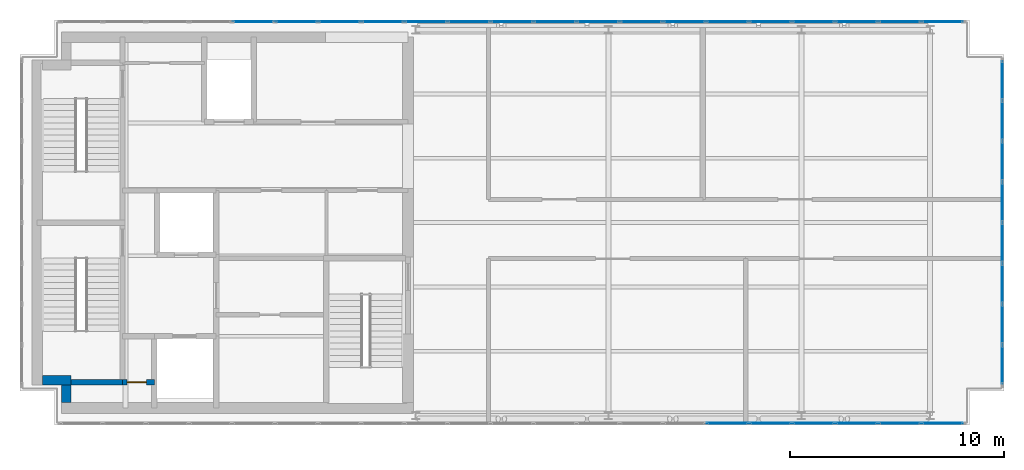
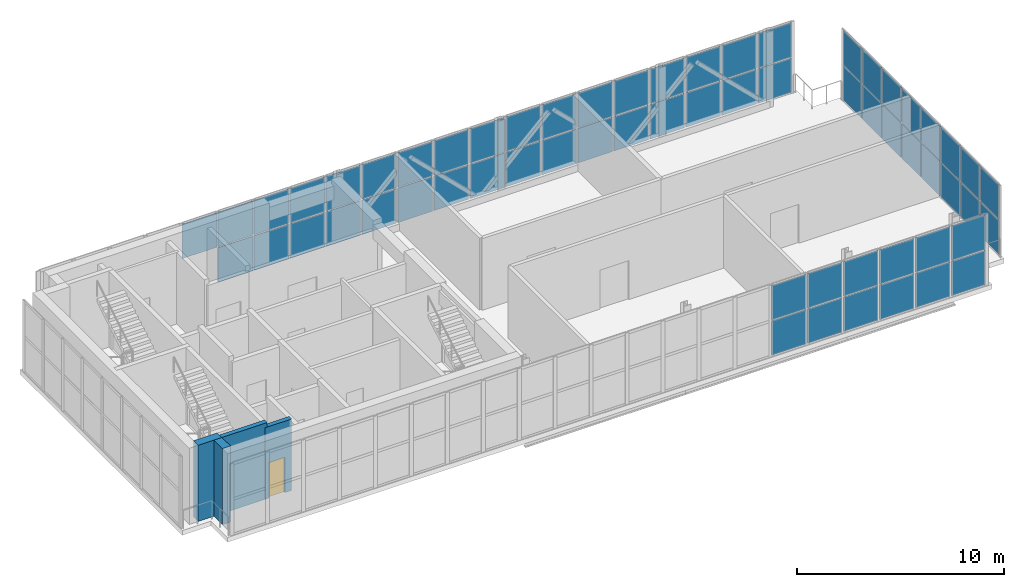
# One storey, part 17 of 21: 61 plates, 4 walls, 1 door, 1 opening, 3 elements without a shape of their own.
"""IFC4 building model written with IfcOpenShell, lengths in metres."""

from ifc_helpers import new_model, si_unit, direction, frame, frame_2d, origin, origin_2d, place, context, subcontext, project, spatial, rectangle, extrude, material, layer, layer_set, type_object, element, fill, aggregate, save


model = new_model("IFC4")

# Units and contexts
model_context = context("Model", 3, precision=1e-05, world=origin(), true_north=direction((0.0, 1.0)))
body_context = subcontext(model_context, "Body", "Model", "MODEL_VIEW")
ifc_project = project(units=[si_unit("LENGTHUNIT", "METRE"), si_unit("AREAUNIT", "SQUARE_METRE"), si_unit("VOLUMEUNIT", "CUBIC_METRE"), si_unit("PLANEANGLEUNIT", "RADIAN"), si_unit("MASSUNIT", "GRAM", prefix="KILO")], contexts=[model_context])

# Site, building, storey
site_placement = place(None, origin())
site = spatial("IfcSite", under=ifc_project, at=site_placement, CompositionType="ELEMENT")
building_placement = place(site_placement, origin())
building = spatial("IfcBuilding", under=site, at=building_placement, Name="Mawjdan Bourse Tower", CompositionType="ELEMENT")
storey_placement = place(building_placement, frame((0.0, 0.0, 317.699951171875)))
storey = spatial("IfcBuildingStorey", under=building, at=storey_placement, Name="L78", CompositionType="ELEMENT", Elevation=317.699951171875)

# Curtain wall, plates
ifc_material_1 = material(Name="Thermally Broken Aluminium and Solar Glass", Category="aluminium")
ifc_layer_1 = layer(ifc_material_1, 0.219970703125)
ifc_layer_set_1 = layer_set([ifc_layer_1], Name="Thermally Broken Aluminium and Solar Glass")
curtain_wall_type = type_object("IfcCurtainWallType", Name="CW-CRN", PredefinedType="USERDEFINED", material=ifc_layer_set_1)
curtain_wall_1_placement = place(storey_placement, origin())
curtain_wall_1 = element("IfcCurtainWall", 1, at=curtain_wall_1_placement, inside=storey, type_object=curtain_wall_type, Name="L78 Lantern Crown South Curtain Wall", ObjectType="LANTERN GLAZED CROWN", PredefinedType="USERDEFINED")
ifc_material_2 = material(Name="Night-Lit Fritted Lantern Glass", Category="glass")
ifc_layer_2 = layer(ifc_material_2, 0.0439453125)
ifc_layer_set_2 = layer_set([ifc_layer_2], Name="Night-Lit Fritted Lantern Glass")
plate_type = type_object("IfcPlateType", Name="PNL-CW-CRN", PredefinedType="CURTAIN_PANEL", material=ifc_layer_set_2)
plate_1_placement = place(storey_placement, frame((38.547607421875, 2.6298828125, 0.06005859375), z_axis=(0.0, 0.0, 1.0), x_axis=(1.0, 0.0, 0.0)))
plate_1 = element("IfcPlate", 2, at=plate_1_placement, type_object=plate_type, Name="CW-CRN-L78-CRN-S panel 16.1", PredefinedType="CURTAIN_PANEL", context=body_context, shape_type="SweptSolid", body=[
    extrude(rectangle(XDim=1.9345703125, YDim=0.0439453125, at=origin_2d()), origin(), (0.0, 0.0, 1.0), 2.030029296875),
])
plate_2_placement = place(storey_placement, frame((38.547607421875, 2.6298828125, 2.14990234375), z_axis=(0.0, 0.0, 1.0), x_axis=(1.0, 0.0, 0.0)))
plate_2 = element("IfcPlate", 3, at=plate_2_placement, type_object=plate_type, Name="CW-CRN-L78-CRN-S panel 16.2", PredefinedType="CURTAIN_PANEL", context=body_context, shape_type="SweptSolid", body=[
    extrude(rectangle(XDim=1.9345703125, YDim=0.0439453125, at=origin_2d()), origin(), (0.0, 0.0, 1.0), 2.030029296875),
])
plate_3_placement = place(storey_placement, frame((40.55712890625, 2.6298828125, 0.06005859375), z_axis=(0.0, 0.0, 1.0), x_axis=(1.0, 0.0, 0.0)))
plate_3 = element("IfcPlate", 4, at=plate_3_placement, type_object=plate_type, Name="CW-CRN-L78-CRN-S panel 17.1", PredefinedType="CURTAIN_PANEL", context=body_context, shape_type="SweptSolid", body=[
    extrude(rectangle(XDim=1.9345703125, YDim=0.0439453125, at=origin_2d()), origin(), (0.0, 0.0, 1.0), 2.030029296875),
])
plate_4_placement = place(storey_placement, frame((40.55712890625, 2.6298828125, 2.14990234375), z_axis=(0.0, 0.0, 1.0), x_axis=(1.0, 0.0, 0.0)))
plate_4 = element("IfcPlate", 5, at=plate_4_placement, type_object=plate_type, Name="CW-CRN-L78-CRN-S panel 17.2", PredefinedType="CURTAIN_PANEL", context=body_context, shape_type="SweptSolid", body=[
    extrude(rectangle(XDim=1.9345703125, YDim=0.0439453125, at=origin_2d()), origin(), (0.0, 0.0, 1.0), 2.030029296875),
])
plate_5_placement = place(storey_placement, frame((42.566650390625, 2.6298828125, 0.06005859375), z_axis=(0.0, 0.0, 1.0), x_axis=(1.0, 0.0, 0.0)))
plate_5 = element("IfcPlate", 6, at=plate_5_placement, type_object=plate_type, Name="CW-CRN-L78-CRN-S panel 18.1", PredefinedType="CURTAIN_PANEL", context=body_context, shape_type="SweptSolid", body=[
    extrude(rectangle(XDim=1.9345703125, YDim=0.0439453125, at=origin_2d()), origin(), (0.0, 0.0, 1.0), 2.030029296875),
])
plate_6_placement = place(storey_placement, frame((42.566650390625, 2.6298828125, 2.14990234375), z_axis=(0.0, 0.0, 1.0), x_axis=(1.0, 0.0, 0.0)))
plate_6 = element("IfcPlate", 7, at=plate_6_placement, type_object=plate_type, Name="CW-CRN-L78-CRN-S panel 18.2", PredefinedType="CURTAIN_PANEL", context=body_context, shape_type="SweptSolid", body=[
    extrude(rectangle(XDim=1.9345703125, YDim=0.0439453125, at=origin_2d()), origin(), (0.0, 0.0, 1.0), 2.030029296875),
])
plate_7_placement = place(storey_placement, frame((44.576171875, 2.6298828125, 0.06005859375), z_axis=(0.0, 0.0, 1.0), x_axis=(1.0, 0.0, 0.0)))
plate_7 = element("IfcPlate", 8, at=plate_7_placement, type_object=plate_type, Name="CW-CRN-L78-CRN-S panel 19.1", PredefinedType="CURTAIN_PANEL", context=body_context, shape_type="SweptSolid", body=[
    extrude(rectangle(XDim=1.9345703125, YDim=0.0439453125, at=origin_2d()), origin(), (0.0, 0.0, 1.0), 2.030029296875),
])
plate_8_placement = place(storey_placement, frame((44.576171875, 2.6298828125, 2.14990234375), z_axis=(0.0, 0.0, 1.0), x_axis=(1.0, 0.0, 0.0)))
plate_8 = element("IfcPlate", 9, at=plate_8_placement, type_object=plate_type, Name="CW-CRN-L78-CRN-S panel 19.2", PredefinedType="CURTAIN_PANEL", context=body_context, shape_type="SweptSolid", body=[
    extrude(rectangle(XDim=1.9345703125, YDim=0.0439453125, at=origin_2d()), origin(), (0.0, 0.0, 1.0), 2.030029296875),
])
plate_9_placement = place(storey_placement, frame((46.585693359375, 2.6298828125, 0.06005859375), z_axis=(0.0, 0.0, 1.0), x_axis=(1.0, 0.0, 0.0)))
plate_9 = element("IfcPlate", 10, at=plate_9_placement, type_object=plate_type, Name="CW-CRN-L78-CRN-S panel 20.1", PredefinedType="CURTAIN_PANEL", context=body_context, shape_type="SweptSolid", body=[
    extrude(rectangle(XDim=1.9345703125, YDim=0.0439453125, at=origin_2d()), origin(), (0.0, 0.0, 1.0), 2.030029296875),
])
plate_10_placement = place(storey_placement, frame((46.585693359375, 2.6298828125, 2.14990234375), z_axis=(0.0, 0.0, 1.0), x_axis=(1.0, 0.0, 0.0)))
plate_10 = element("IfcPlate", 11, at=plate_10_placement, type_object=plate_type, Name="CW-CRN-L78-CRN-S panel 20.2", PredefinedType="CURTAIN_PANEL", context=body_context, shape_type="SweptSolid", body=[
    extrude(rectangle(XDim=1.9345703125, YDim=0.0439453125, at=origin_2d()), origin(), (0.0, 0.0, 1.0), 2.030029296875),
])
plate_11_placement = place(storey_placement, frame((48.576416015625, 2.6298828125, 0.06005859375), z_axis=(0.0, 0.0, 1.0), x_axis=(1.0, 0.0, 0.0)))
plate_11 = element("IfcPlate", 12, at=plate_11_placement, type_object=plate_type, Name="CW-CRN-L78-CRN-S panel 21.1", PredefinedType="CURTAIN_PANEL", context=body_context, shape_type="SweptSolid", body=[
    extrude(rectangle(XDim=1.89697265625, YDim=0.0439453125, at=origin_2d()), origin(), (0.0, 0.0, 1.0), 2.030029296875),
])
plate_12_placement = place(storey_placement, frame((48.576416015625, 2.6298828125, 2.14990234375), z_axis=(0.0, 0.0, 1.0), x_axis=(1.0, 0.0, 0.0)))
plate_12 = element("IfcPlate", 13, at=plate_12_placement, type_object=plate_type, Name="CW-CRN-L78-CRN-S panel 21.2", PredefinedType="CURTAIN_PANEL", context=body_context, shape_type="SweptSolid", body=[
    extrude(rectangle(XDim=1.89697265625, YDim=0.0439453125, at=origin_2d()), origin(), (0.0, 0.0, 1.0), 2.030029296875),
])
aggregate(curtain_wall_1, [plate_1, plate_2, plate_3, plate_4, plate_5, plate_6, plate_7, plate_8, plate_9, plate_10, plate_11, plate_12])

curtain_wall_2_placement = place(storey_placement, origin())
curtain_wall_2 = element("IfcCurtainWall", 14, at=curtain_wall_2_placement, inside=storey, type_object=curtain_wall_type, Name="L78 Lantern Crown East Curtain Wall", ObjectType="LANTERN GLAZED CROWN", PredefinedType="USERDEFINED")
plate_13_placement = place(storey_placement, frame((51.3701171875, 5.36865234375, 0.06005859375), z_axis=(0.0, 0.0, 1.0), x_axis=(0.0, 1.0, 0.0)))
plate_13 = element("IfcPlate", 15, at=plate_13_placement, type_object=plate_type, Name="CW-CRN-L78-CRN-E panel 1.1", PredefinedType="CURTAIN_PANEL", context=body_context, shape_type="SweptSolid", body=[
    extrude(rectangle(XDim=1.78759765625, YDim=0.0439453125, at=origin_2d()), origin(), (0.0, 0.0, 1.0), 2.030029296875),
])
plate_14_placement = place(storey_placement, frame((51.3701171875, 5.36865234375, 2.14990234375), z_axis=(0.0, 0.0, 1.0), x_axis=(0.0, 1.0, 0.0)))
plate_14 = element("IfcPlate", 16, at=plate_14_placement, type_object=plate_type, Name="CW-CRN-L78-CRN-E panel 1.2", PredefinedType="CURTAIN_PANEL", context=body_context, shape_type="SweptSolid", body=[
    extrude(rectangle(XDim=1.78759765625, YDim=0.0439453125, at=origin_2d()), origin(), (0.0, 0.0, 1.0), 2.030029296875),
])
plate_15_placement = place(storey_placement, frame((51.3701171875, 7.25, 0.06005859375), z_axis=(0.0, 0.0, 1.0), x_axis=(0.0, 1.0, 0.0)))
plate_15 = element("IfcPlate", 17, at=plate_15_placement, type_object=plate_type, Name="CW-CRN-L78-CRN-E panel 2.1", PredefinedType="CURTAIN_PANEL", context=body_context, shape_type="SweptSolid", body=[
    extrude(rectangle(XDim=1.824951171875, YDim=0.0439453125, at=origin_2d()), origin(), (0.0, 0.0, 1.0), 2.030029296875),
])
plate_16_placement = place(storey_placement, frame((51.3701171875, 7.25, 2.14990234375), z_axis=(0.0, 0.0, 1.0), x_axis=(0.0, 1.0, 0.0)))
plate_16 = element("IfcPlate", 18, at=plate_16_placement, type_object=plate_type, Name="CW-CRN-L78-CRN-E panel 2.2", PredefinedType="CURTAIN_PANEL", context=body_context, shape_type="SweptSolid", body=[
    extrude(rectangle(XDim=1.824951171875, YDim=0.0439453125, at=origin_2d()), origin(), (0.0, 0.0, 1.0), 2.030029296875),
])
plate_17_placement = place(storey_placement, frame((51.3701171875, 9.14990234375, 0.06005859375), z_axis=(0.0, 0.0, 1.0), x_axis=(0.0, 1.0, 0.0)))
plate_17 = element("IfcPlate", 19, at=plate_17_placement, type_object=plate_type, Name="CW-CRN-L78-CRN-E panel 3.1", PredefinedType="CURTAIN_PANEL", context=body_context, shape_type="SweptSolid", body=[
    extrude(rectangle(XDim=1.824951171875, YDim=0.0439453125, at=origin_2d()), origin(), (0.0, 0.0, 1.0), 2.030029296875),
])
plate_18_placement = place(storey_placement, frame((51.3701171875, 9.14990234375, 2.14990234375), z_axis=(0.0, 0.0, 1.0), x_axis=(0.0, 1.0, 0.0)))
plate_18 = element("IfcPlate", 20, at=plate_18_placement, type_object=plate_type, Name="CW-CRN-L78-CRN-E panel 3.2", PredefinedType="CURTAIN_PANEL", context=body_context, shape_type="SweptSolid", body=[
    extrude(rectangle(XDim=1.824951171875, YDim=0.0439453125, at=origin_2d()), origin(), (0.0, 0.0, 1.0), 2.030029296875),
])
plate_19_placement = place(storey_placement, frame((51.3701171875, 11.050048828125, 0.06005859375), z_axis=(0.0, 0.0, 1.0), x_axis=(0.0, 1.0, 0.0)))
plate_19 = element("IfcPlate", 21, at=plate_19_placement, type_object=plate_type, Name="CW-CRN-L78-CRN-E panel 4.1", PredefinedType="CURTAIN_PANEL", context=body_context, shape_type="SweptSolid", body=[
    extrude(rectangle(XDim=1.824951171875, YDim=0.0439453125, at=origin_2d()), origin(), (0.0, 0.0, 1.0), 2.030029296875),
])
plate_20_placement = place(storey_placement, frame((51.3701171875, 11.050048828125, 2.14990234375), z_axis=(0.0, 0.0, 1.0), x_axis=(0.0, 1.0, 0.0)))
plate_20 = element("IfcPlate", 22, at=plate_20_placement, type_object=plate_type, Name="CW-CRN-L78-CRN-E panel 4.2", PredefinedType="CURTAIN_PANEL", context=body_context, shape_type="SweptSolid", body=[
    extrude(rectangle(XDim=1.824951171875, YDim=0.0439453125, at=origin_2d()), origin(), (0.0, 0.0, 1.0), 2.030029296875),
])
plate_21_placement = place(storey_placement, frame((51.3701171875, 12.949951171875, 0.06005859375), z_axis=(0.0, 0.0, 1.0), x_axis=(0.0, 1.0, 0.0)))
plate_21 = element("IfcPlate", 23, at=plate_21_placement, type_object=plate_type, Name="CW-CRN-L78-CRN-E panel 5.1", PredefinedType="CURTAIN_PANEL", context=body_context, shape_type="SweptSolid", body=[
    extrude(rectangle(XDim=1.824951171875, YDim=0.0439453125, at=origin_2d()), origin(), (0.0, 0.0, 1.0), 2.030029296875),
])
plate_22_placement = place(storey_placement, frame((51.3701171875, 12.949951171875, 2.14990234375), z_axis=(0.0, 0.0, 1.0), x_axis=(0.0, 1.0, 0.0)))
plate_22 = element("IfcPlate", 24, at=plate_22_placement, type_object=plate_type, Name="CW-CRN-L78-CRN-E panel 5.2", PredefinedType="CURTAIN_PANEL", context=body_context, shape_type="SweptSolid", body=[
    extrude(rectangle(XDim=1.824951171875, YDim=0.0439453125, at=origin_2d()), origin(), (0.0, 0.0, 1.0), 2.030029296875),
])
plate_23_placement = place(storey_placement, frame((51.3701171875, 14.85009765625, 0.06005859375), z_axis=(0.0, 0.0, 1.0), x_axis=(0.0, 1.0, 0.0)))
plate_23 = element("IfcPlate", 25, at=plate_23_placement, type_object=plate_type, Name="CW-CRN-L78-CRN-E panel 6.1", PredefinedType="CURTAIN_PANEL", context=body_context, shape_type="SweptSolid", body=[
    extrude(rectangle(XDim=1.824951171875, YDim=0.0439453125, at=origin_2d()), origin(), (0.0, 0.0, 1.0), 2.030029296875),
])
plate_24_placement = place(storey_placement, frame((51.3701171875, 14.85009765625, 2.14990234375), z_axis=(0.0, 0.0, 1.0), x_axis=(0.0, 1.0, 0.0)))
plate_24 = element("IfcPlate", 26, at=plate_24_placement, type_object=plate_type, Name="CW-CRN-L78-CRN-E panel 6.2", PredefinedType="CURTAIN_PANEL", context=body_context, shape_type="SweptSolid", body=[
    extrude(rectangle(XDim=1.824951171875, YDim=0.0439453125, at=origin_2d()), origin(), (0.0, 0.0, 1.0), 2.030029296875),
])
plate_25_placement = place(storey_placement, frame((51.3701171875, 16.75, 0.06005859375), z_axis=(0.0, 0.0, 1.0), x_axis=(0.0, 1.0, 0.0)))
plate_25 = element("IfcPlate", 27, at=plate_25_placement, type_object=plate_type, Name="CW-CRN-L78-CRN-E panel 7.1", PredefinedType="CURTAIN_PANEL", context=body_context, shape_type="SweptSolid", body=[
    extrude(rectangle(XDim=1.824951171875, YDim=0.0439453125, at=origin_2d()), origin(), (0.0, 0.0, 1.0), 2.030029296875),
])
plate_26_placement = place(storey_placement, frame((51.3701171875, 16.75, 2.14990234375), z_axis=(0.0, 0.0, 1.0), x_axis=(0.0, 1.0, 0.0)))
plate_26 = element("IfcPlate", 28, at=plate_26_placement, type_object=plate_type, Name="CW-CRN-L78-CRN-E panel 7.2", PredefinedType="CURTAIN_PANEL", context=body_context, shape_type="SweptSolid", body=[
    extrude(rectangle(XDim=1.824951171875, YDim=0.0439453125, at=origin_2d()), origin(), (0.0, 0.0, 1.0), 2.030029296875),
])
plate_27_placement = place(storey_placement, frame((51.3701171875, 18.63134765625, 0.06005859375), z_axis=(0.0, 0.0, 1.0), x_axis=(0.0, 1.0, 0.0)))
plate_27 = element("IfcPlate", 29, at=plate_27_placement, type_object=plate_type, Name="CW-CRN-L78-CRN-E panel 8.1", PredefinedType="CURTAIN_PANEL", context=body_context, shape_type="SweptSolid", body=[
    extrude(rectangle(XDim=1.78759765625, YDim=0.0439453125, at=origin_2d()), origin(), (0.0, 0.0, 1.0), 2.030029296875),
])
plate_28_placement = place(storey_placement, frame((51.3701171875, 18.63134765625, 2.14990234375), z_axis=(0.0, 0.0, 1.0), x_axis=(0.0, 1.0, 0.0)))
plate_28 = element("IfcPlate", 30, at=plate_28_placement, type_object=plate_type, Name="CW-CRN-L78-CRN-E panel 8.2", PredefinedType="CURTAIN_PANEL", context=body_context, shape_type="SweptSolid", body=[
    extrude(rectangle(XDim=1.78759765625, YDim=0.0439453125, at=origin_2d()), origin(), (0.0, 0.0, 1.0), 2.030029296875),
])
aggregate(curtain_wall_2, [plate_13, plate_14, plate_15, plate_16, plate_17, plate_18, plate_19, plate_20, plate_21, plate_22, plate_23, plate_24, plate_25, plate_26, plate_27, plate_28])

curtain_wall_3_placement = place(storey_placement, origin())
curtain_wall_3 = element("IfcCurtainWall", 31, at=curtain_wall_3_placement, inside=storey, type_object=curtain_wall_type, Name="L78 Lantern Crown North Curtain Wall", ObjectType="LANTERN GLAZED CROWN", PredefinedType="USERDEFINED")
plate_29_placement = place(storey_placement, frame((48.576416015625, 21.3701171875, 0.06005859375), z_axis=(0.0, 0.0, 1.0), x_axis=(-1.0, 0.0, 0.0)))
plate_29 = element("IfcPlate", 32, at=plate_29_placement, type_object=plate_type, Name="CW-CRN-L78-CRN-N panel 1.1", PredefinedType="CURTAIN_PANEL", context=body_context, shape_type="SweptSolid", body=[
    extrude(rectangle(XDim=1.89697265625, YDim=0.0439453125, at=origin_2d()), origin(), (0.0, 0.0, 1.0), 2.030029296875),
])
plate_30_placement = place(storey_placement, frame((48.576416015625, 21.3701171875, 2.14990234375), z_axis=(0.0, 0.0, 1.0), x_axis=(-1.0, 0.0, 0.0)))
plate_30 = element("IfcPlate", 33, at=plate_30_placement, type_object=plate_type, Name="CW-CRN-L78-CRN-N panel 1.2", PredefinedType="CURTAIN_PANEL", context=body_context, shape_type="SweptSolid", body=[
    extrude(rectangle(XDim=1.89697265625, YDim=0.0439453125, at=origin_2d()), origin(), (0.0, 0.0, 1.0), 2.030029296875),
])
plate_31_placement = place(storey_placement, frame((46.585693359375, 21.3701171875, 0.06005859375), z_axis=(0.0, 0.0, 1.0), x_axis=(-1.0, 0.0, 0.0)))
plate_31 = element("IfcPlate", 34, at=plate_31_placement, type_object=plate_type, Name="CW-CRN-L78-CRN-N panel 2.1", PredefinedType="CURTAIN_PANEL", context=body_context, shape_type="SweptSolid", body=[
    extrude(rectangle(XDim=1.9345703125, YDim=0.0439453125, at=origin_2d()), origin(), (0.0, 0.0, 1.0), 2.030029296875),
])
plate_32_placement = place(storey_placement, frame((46.585693359375, 21.3701171875, 2.14990234375), z_axis=(0.0, 0.0, 1.0), x_axis=(-1.0, 0.0, 0.0)))
plate_32 = element("IfcPlate", 35, at=plate_32_placement, type_object=plate_type, Name="CW-CRN-L78-CRN-N panel 2.2", PredefinedType="CURTAIN_PANEL", context=body_context, shape_type="SweptSolid", body=[
    extrude(rectangle(XDim=1.9345703125, YDim=0.0439453125, at=origin_2d()), origin(), (0.0, 0.0, 1.0), 2.030029296875),
])
plate_33_placement = place(storey_placement, frame((44.576171875, 21.3701171875, 0.06005859375), z_axis=(0.0, 0.0, 1.0), x_axis=(-1.0, 0.0, 0.0)))
plate_33 = element("IfcPlate", 36, at=plate_33_placement, type_object=plate_type, Name="CW-CRN-L78-CRN-N panel 3.1", PredefinedType="CURTAIN_PANEL", context=body_context, shape_type="SweptSolid", body=[
    extrude(rectangle(XDim=1.9345703125, YDim=0.0439453125, at=origin_2d()), origin(), (0.0, 0.0, 1.0), 2.030029296875),
])
plate_34_placement = place(storey_placement, frame((44.576171875, 21.3701171875, 2.14990234375), z_axis=(0.0, 0.0, 1.0), x_axis=(-1.0, 0.0, 0.0)))
plate_34 = element("IfcPlate", 37, at=plate_34_placement, type_object=plate_type, Name="CW-CRN-L78-CRN-N panel 3.2", PredefinedType="CURTAIN_PANEL", context=body_context, shape_type="SweptSolid", body=[
    extrude(rectangle(XDim=1.9345703125, YDim=0.0439453125, at=origin_2d()), origin(), (0.0, 0.0, 1.0), 2.030029296875),
])
plate_35_placement = place(storey_placement, frame((42.566650390625, 21.3701171875, 0.06005859375), z_axis=(0.0, 0.0, 1.0), x_axis=(-1.0, 0.0, 0.0)))
plate_35 = element("IfcPlate", 38, at=plate_35_placement, type_object=plate_type, Name="CW-CRN-L78-CRN-N panel 4.1", PredefinedType="CURTAIN_PANEL", context=body_context, shape_type="SweptSolid", body=[
    extrude(rectangle(XDim=1.9345703125, YDim=0.0439453125, at=origin_2d()), origin(), (0.0, 0.0, 1.0), 2.030029296875),
])
plate_36_placement = place(storey_placement, frame((42.566650390625, 21.3701171875, 2.14990234375), z_axis=(0.0, 0.0, 1.0), x_axis=(-1.0, 0.0, 0.0)))
plate_36 = element("IfcPlate", 39, at=plate_36_placement, type_object=plate_type, Name="CW-CRN-L78-CRN-N panel 4.2", PredefinedType="CURTAIN_PANEL", context=body_context, shape_type="SweptSolid", body=[
    extrude(rectangle(XDim=1.9345703125, YDim=0.0439453125, at=origin_2d()), origin(), (0.0, 0.0, 1.0), 2.030029296875),
])
plate_37_placement = place(storey_placement, frame((40.55712890625, 21.3701171875, 0.06005859375), z_axis=(0.0, 0.0, 1.0), x_axis=(-1.0, 0.0, 0.0)))
plate_37 = element("IfcPlate", 40, at=plate_37_placement, type_object=plate_type, Name="CW-CRN-L78-CRN-N panel 5.1", PredefinedType="CURTAIN_PANEL", context=body_context, shape_type="SweptSolid", body=[
    extrude(rectangle(XDim=1.9345703125, YDim=0.0439453125, at=origin_2d()), origin(), (0.0, 0.0, 1.0), 2.030029296875),
])
plate_38_placement = place(storey_placement, frame((40.55712890625, 21.3701171875, 2.14990234375), z_axis=(0.0, 0.0, 1.0), x_axis=(-1.0, 0.0, 0.0)))
plate_38 = element("IfcPlate", 41, at=plate_38_placement, type_object=plate_type, Name="CW-CRN-L78-CRN-N panel 5.2", PredefinedType="CURTAIN_PANEL", context=body_context, shape_type="SweptSolid", body=[
    extrude(rectangle(XDim=1.9345703125, YDim=0.0439453125, at=origin_2d()), origin(), (0.0, 0.0, 1.0), 2.030029296875),
])
plate_39_placement = place(storey_placement, frame((38.547607421875, 21.3701171875, 0.06005859375), z_axis=(0.0, 0.0, 1.0), x_axis=(-1.0, 0.0, 0.0)))
plate_39 = element("IfcPlate", 42, at=plate_39_placement, type_object=plate_type, Name="CW-CRN-L78-CRN-N panel 6.1", PredefinedType="CURTAIN_PANEL", context=body_context, shape_type="SweptSolid", body=[
    extrude(rectangle(XDim=1.9345703125, YDim=0.0439453125, at=origin_2d()), origin(), (0.0, 0.0, 1.0), 2.030029296875),
])
plate_40_placement = place(storey_placement, frame((38.547607421875, 21.3701171875, 2.14990234375), z_axis=(0.0, 0.0, 1.0), x_axis=(-1.0, 0.0, 0.0)))
plate_40 = element("IfcPlate", 43, at=plate_40_placement, type_object=plate_type, Name="CW-CRN-L78-CRN-N panel 6.2", PredefinedType="CURTAIN_PANEL", context=body_context, shape_type="SweptSolid", body=[
    extrude(rectangle(XDim=1.9345703125, YDim=0.0439453125, at=origin_2d()), origin(), (0.0, 0.0, 1.0), 2.030029296875),
])
plate_41_placement = place(storey_placement, frame((36.5380859375, 21.3701171875, 0.06005859375), z_axis=(0.0, 0.0, 1.0), x_axis=(-1.0, 0.0, 0.0)))
plate_41 = element("IfcPlate", 44, at=plate_41_placement, type_object=plate_type, Name="CW-CRN-L78-CRN-N panel 7.1", PredefinedType="CURTAIN_PANEL", context=body_context, shape_type="SweptSolid", body=[
    extrude(rectangle(XDim=1.9345703125, YDim=0.0439453125, at=origin_2d()), origin(), (0.0, 0.0, 1.0), 2.030029296875),
])
plate_42_placement = place(storey_placement, frame((36.5380859375, 21.3701171875, 2.14990234375), z_axis=(0.0, 0.0, 1.0), x_axis=(-1.0, 0.0, 0.0)))
plate_42 = element("IfcPlate", 45, at=plate_42_placement, type_object=plate_type, Name="CW-CRN-L78-CRN-N panel 7.2", PredefinedType="CURTAIN_PANEL", context=body_context, shape_type="SweptSolid", body=[
    extrude(rectangle(XDim=1.9345703125, YDim=0.0439453125, at=origin_2d()), origin(), (0.0, 0.0, 1.0), 2.030029296875),
])
plate_43_placement = place(storey_placement, frame((34.528564453125, 21.3701171875, 0.06005859375), z_axis=(0.0, 0.0, 1.0), x_axis=(-1.0, 0.0, 0.0)))
plate_43 = element("IfcPlate", 46, at=plate_43_placement, type_object=plate_type, Name="CW-CRN-L78-CRN-N panel 8.1", PredefinedType="CURTAIN_PANEL", context=body_context, shape_type="SweptSolid", body=[
    extrude(rectangle(XDim=1.9345703125, YDim=0.0439453125, at=origin_2d()), origin(), (0.0, 0.0, 1.0), 2.030029296875),
])
plate_44_placement = place(storey_placement, frame((34.528564453125, 21.3701171875, 2.14990234375), z_axis=(0.0, 0.0, 1.0), x_axis=(-1.0, 0.0, 0.0)))
plate_44 = element("IfcPlate", 47, at=plate_44_placement, type_object=plate_type, Name="CW-CRN-L78-CRN-N panel 8.2", PredefinedType="CURTAIN_PANEL", context=body_context, shape_type="SweptSolid", body=[
    extrude(rectangle(XDim=1.9345703125, YDim=0.0439453125, at=origin_2d()), origin(), (0.0, 0.0, 1.0), 2.030029296875),
])
plate_45_placement = place(storey_placement, frame((32.51904296875, 21.3701171875, 0.06005859375), z_axis=(0.0, 0.0, 1.0), x_axis=(-1.0, 0.0, 0.0)))
plate_45 = element("IfcPlate", 48, at=plate_45_placement, type_object=plate_type, Name="CW-CRN-L78-CRN-N panel 9.1", PredefinedType="CURTAIN_PANEL", context=body_context, shape_type="SweptSolid", body=[
    extrude(rectangle(XDim=1.9345703125, YDim=0.0439453125, at=origin_2d()), origin(), (0.0, 0.0, 1.0), 2.030029296875),
])
plate_46_placement = place(storey_placement, frame((32.51904296875, 21.3701171875, 2.14990234375), z_axis=(0.0, 0.0, 1.0), x_axis=(-1.0, 0.0, 0.0)))
plate_46 = element("IfcPlate", 49, at=plate_46_placement, type_object=plate_type, Name="CW-CRN-L78-CRN-N panel 9.2", PredefinedType="CURTAIN_PANEL", context=body_context, shape_type="SweptSolid", body=[
    extrude(rectangle(XDim=1.9345703125, YDim=0.0439453125, at=origin_2d()), origin(), (0.0, 0.0, 1.0), 2.030029296875),
])
plate_47_placement = place(storey_placement, frame((30.509521484375, 21.3701171875, 0.06005859375), z_axis=(0.0, 0.0, 1.0), x_axis=(-1.0, 0.0, 0.0)))
plate_47 = element("IfcPlate", 50, at=plate_47_placement, type_object=plate_type, Name="CW-CRN-L78-CRN-N panel 10.1", PredefinedType="CURTAIN_PANEL", context=body_context, shape_type="SweptSolid", body=[
    extrude(rectangle(XDim=1.9345703125, YDim=0.0439453125, at=origin_2d()), origin(), (0.0, 0.0, 1.0), 2.030029296875),
])
plate_48_placement = place(storey_placement, frame((30.509521484375, 21.3701171875, 2.14990234375), z_axis=(0.0, 0.0, 1.0), x_axis=(-1.0, 0.0, 0.0)))
plate_48 = element("IfcPlate", 51, at=plate_48_placement, type_object=plate_type, Name="CW-CRN-L78-CRN-N panel 10.2", PredefinedType="CURTAIN_PANEL", context=body_context, shape_type="SweptSolid", body=[
    extrude(rectangle(XDim=1.9345703125, YDim=0.0439453125, at=origin_2d()), origin(), (0.0, 0.0, 1.0), 2.030029296875),
])
plate_49_placement = place(storey_placement, frame((28.5, 21.3701171875, 0.06005859375), z_axis=(0.0, 0.0, 1.0), x_axis=(-1.0, 0.0, 0.0)))
plate_49 = element("IfcPlate", 52, at=plate_49_placement, type_object=plate_type, Name="CW-CRN-L78-CRN-N panel 11.1", PredefinedType="CURTAIN_PANEL", context=body_context, shape_type="SweptSolid", body=[
    extrude(rectangle(XDim=1.9345703125, YDim=0.0439453125, at=origin_2d()), origin(), (0.0, 0.0, 1.0), 2.030029296875),
])
plate_50_placement = place(storey_placement, frame((28.5, 21.3701171875, 2.14990234375), z_axis=(0.0, 0.0, 1.0), x_axis=(-1.0, 0.0, 0.0)))
plate_50 = element("IfcPlate", 53, at=plate_50_placement, type_object=plate_type, Name="CW-CRN-L78-CRN-N panel 11.2", PredefinedType="CURTAIN_PANEL", context=body_context, shape_type="SweptSolid", body=[
    extrude(rectangle(XDim=1.9345703125, YDim=0.0439453125, at=origin_2d()), origin(), (0.0, 0.0, 1.0), 2.030029296875),
])
plate_51_placement = place(storey_placement, frame((26.490478515625, 21.3701171875, 0.06005859375), z_axis=(0.0, 0.0, 1.0), x_axis=(-1.0, 0.0, 0.0)))
plate_51 = element("IfcPlate", 54, at=plate_51_placement, type_object=plate_type, Name="CW-CRN-L78-CRN-N panel 12.1", PredefinedType="CURTAIN_PANEL", context=body_context, shape_type="SweptSolid", body=[
    extrude(rectangle(XDim=1.9345703125, YDim=0.0439453125, at=origin_2d()), origin(), (0.0, 0.0, 1.0), 2.030029296875),
])
plate_52_placement = place(storey_placement, frame((26.490478515625, 21.3701171875, 2.14990234375), z_axis=(0.0, 0.0, 1.0), x_axis=(-1.0, 0.0, 0.0)))
plate_52 = element("IfcPlate", 55, at=plate_52_placement, type_object=plate_type, Name="CW-CRN-L78-CRN-N panel 12.2", PredefinedType="CURTAIN_PANEL", context=body_context, shape_type="SweptSolid", body=[
    extrude(rectangle(XDim=1.9345703125, YDim=0.0439453125, at=origin_2d()), origin(), (0.0, 0.0, 1.0), 2.030029296875),
])
plate_53_placement = place(storey_placement, frame((24.48095703125, 21.3701171875, 0.06005859375), z_axis=(0.0, 0.0, 1.0), x_axis=(-1.0, 0.0, 0.0)))
plate_53 = element("IfcPlate", 56, at=plate_53_placement, type_object=plate_type, Name="CW-CRN-L78-CRN-N panel 13.1", PredefinedType="CURTAIN_PANEL", context=body_context, shape_type="SweptSolid", body=[
    extrude(rectangle(XDim=1.9345703125, YDim=0.0439453125, at=origin_2d()), origin(), (0.0, 0.0, 1.0), 2.030029296875),
])
plate_54_placement = place(storey_placement, frame((24.48095703125, 21.3701171875, 2.14990234375), z_axis=(0.0, 0.0, 1.0), x_axis=(-1.0, 0.0, 0.0)))
plate_54 = element("IfcPlate", 57, at=plate_54_placement, type_object=plate_type, Name="CW-CRN-L78-CRN-N panel 13.2", PredefinedType="CURTAIN_PANEL", context=body_context, shape_type="SweptSolid", body=[
    extrude(rectangle(XDim=1.9345703125, YDim=0.0439453125, at=origin_2d()), origin(), (0.0, 0.0, 1.0), 2.030029296875),
])
plate_55_placement = place(storey_placement, frame((22.471435546875, 21.3701171875, 0.06005859375), z_axis=(0.0, 0.0, 1.0), x_axis=(-1.0, 0.0, 0.0)))
plate_55 = element("IfcPlate", 58, at=plate_55_placement, type_object=plate_type, Name="CW-CRN-L78-CRN-N panel 14.1", PredefinedType="CURTAIN_PANEL", context=body_context, shape_type="SweptSolid", body=[
    extrude(rectangle(XDim=1.9345703125, YDim=0.0439453125, at=origin_2d()), origin(), (0.0, 0.0, 1.0), 2.030029296875),
])
plate_56_placement = place(storey_placement, frame((22.471435546875, 21.3701171875, 2.14990234375), z_axis=(0.0, 0.0, 1.0), x_axis=(-1.0, 0.0, 0.0)))
plate_56 = element("IfcPlate", 59, at=plate_56_placement, type_object=plate_type, Name="CW-CRN-L78-CRN-N panel 14.2", PredefinedType="CURTAIN_PANEL", context=body_context, shape_type="SweptSolid", body=[
    extrude(rectangle(XDim=1.9345703125, YDim=0.0439453125, at=origin_2d()), origin(), (0.0, 0.0, 1.0), 2.030029296875),
])
plate_57_placement = place(storey_placement, frame((20.4619140625, 21.3701171875, 0.06005859375), z_axis=(0.0, 0.0, 1.0), x_axis=(-1.0, 0.0, 0.0)))
plate_57 = element("IfcPlate", 60, at=plate_57_placement, type_object=plate_type, Name="CW-CRN-L78-CRN-N panel 15.1", PredefinedType="CURTAIN_PANEL", context=body_context, shape_type="SweptSolid", body=[
    extrude(rectangle(XDim=1.9345703125, YDim=0.0439453125, at=origin_2d()), origin(), (0.0, 0.0, 1.0), 2.030029296875),
])
plate_58_placement = place(storey_placement, frame((20.4619140625, 21.3701171875, 2.14990234375), z_axis=(0.0, 0.0, 1.0), x_axis=(-1.0, 0.0, 0.0)))
plate_58 = element("IfcPlate", 61, at=plate_58_placement, type_object=plate_type, Name="CW-CRN-L78-CRN-N panel 15.2", PredefinedType="CURTAIN_PANEL", context=body_context, shape_type="SweptSolid", body=[
    extrude(rectangle(XDim=1.9345703125, YDim=0.0439453125, at=origin_2d()), origin(), (0.0, 0.0, 1.0), 2.030029296875),
])
plate_59_placement = place(storey_placement, frame((18.452392578125, 21.3701171875, 0.06005859375), z_axis=(0.0, 0.0, 1.0), x_axis=(-1.0, 0.0, 0.0)))
plate_59 = element("IfcPlate", 62, at=plate_59_placement, type_object=plate_type, Name="CW-CRN-L78-CRN-N panel 16.1", PredefinedType="CURTAIN_PANEL", context=body_context, shape_type="SweptSolid", body=[
    extrude(rectangle(XDim=1.9345703125, YDim=0.0439453125, at=origin_2d()), origin(), (0.0, 0.0, 1.0), 2.030029296875),
])
plate_60_placement = place(storey_placement, frame((18.452392578125, 21.3701171875, 2.14990234375), z_axis=(0.0, 0.0, 1.0), x_axis=(-1.0, 0.0, 0.0)))
plate_60 = element("IfcPlate", 63, at=plate_60_placement, type_object=plate_type, Name="CW-CRN-L78-CRN-N panel 16.2", PredefinedType="CURTAIN_PANEL", context=body_context, shape_type="SweptSolid", body=[
    extrude(rectangle(XDim=1.9345703125, YDim=0.0439453125, at=origin_2d()), origin(), (0.0, 0.0, 1.0), 2.030029296875),
])
plate_61_placement = place(storey_placement, frame((16.44287109375, 21.3701171875, 2.14990234375), z_axis=(0.0, 0.0, 1.0), x_axis=(-1.0, 0.0, 0.0)))
plate_61 = element("IfcPlate", 64, at=plate_61_placement, type_object=plate_type, Name="CW-CRN-L78-CRN-N panel 17.2", PredefinedType="CURTAIN_PANEL", context=body_context, shape_type="SweptSolid", body=[
    extrude(rectangle(XDim=1.9345703125, YDim=0.0439453125, at=origin_2d()), origin(), (0.0, 0.0, 1.0), 2.030029296875),
])
aggregate(curtain_wall_3, [plate_29, plate_30, plate_31, plate_32, plate_33, plate_34, plate_35, plate_36, plate_37, plate_38, plate_39, plate_40, plate_41, plate_42, plate_43, plate_44, plate_45, plate_46, plate_47, plate_48, plate_49, plate_50, plate_51, plate_52, plate_53, plate_54, plate_55, plate_56, plate_57, plate_58, plate_59, plate_60, plate_61])

# Walls
ifc_material_3 = material(Name="Concrete C60/75", Category="concrete")
ifc_layer_3 = layer(ifc_material_3, 0.449951171875)
ifc_layer_set_3 = layer_set([ifc_layer_3], Name="Concrete C60/75")
wall_type_1 = type_object("IfcWallType", Name="WL-CORE-450", PredefinedType="SHEAR", material=ifc_layer_set_3)
wall_1_placement = place(storey_placement, frame((6.60009765625, 4.64990234375, 0.0), z_axis=(0.0, 0.0, 1.0), x_axis=(1.0, 0.0, 0.0)))
element("IfcWall", 65, at=wall_1_placement, inside=storey, type_object=wall_type_1, Name="L78 Rear Core Shear Wall SW-X", PredefinedType="SHEAR", context=body_context, shape_type="SweptSolid", body=[
    extrude(rectangle(XDim=1.324951171875, YDim=0.449951171875, at=frame_2d((0.66259765625, 0.0))), origin(), (0.0, 0.0, 1.0), 4.5),
])
wall_2_placement = place(storey_placement, frame((7.699951171875, 3.60009765625, 0.0), z_axis=(0.0, 0.0, 1.0), x_axis=(0.0, 1.0, 0.0)))
element("IfcWall", 66, at=wall_2_placement, inside=storey, type_object=wall_type_1, Name="L78 Rear Core Shear Wall SW-Y", PredefinedType="SHEAR", context=body_context, shape_type="SweptSolid", body=[
    extrude(rectangle(XDim=0.824951171875, YDim=0.449951171875, at=frame_2d((0.41259765625, 0.0))), origin(), (0.0, 0.0, 1.0), 4.5),
])

# Wall, opening, door
ifc_material_4 = material(Name="Concrete C50/60", Category="concrete")
ifc_layer_4 = layer(ifc_material_4, 0.25)
ifc_layer_set_4 = layer_set([ifc_layer_4], Name="Concrete C50/60")
wall_type_2 = type_object("IfcWallType", Name="WL-SHFT-250", PredefinedType="PARTITIONING", material=ifc_layer_set_4)
wall_3_placement = place(storey_placement, frame((10.330078125, 4.550048828125, 0.0), z_axis=(0.0, 0.0, 1.0), x_axis=(1.0, 0.0, 0.0)))
wall_3 = element("IfcWall", 67, at=wall_3_placement, inside=storey, type_object=wall_type_2, Name="L78 SW Riser North Wall", PredefinedType="PARTITIONING", context=body_context, shape_type="SweptSolid", body=[
    extrude(rectangle(XDim=1.489990234375, YDim=0.25, at=frame_2d((0.7451171875, 0.0))), origin(), (0.0, 0.0, 1.0), 4.22998046875),
])
opening_placement = place(wall_3_placement, frame((0.219970703125, 0.0, 0.0)))
opening = element("IfcOpeningElement", 68, at=opening_placement, cuts=wall_3, Name="Opening RD-L78-03", PredefinedType="OPENING", context=body_context, shape_type="SweptSolid", body=[
    extrude(rectangle(XDim=0.89990234375, YDim=2.10009765625, at=frame_2d((0.449951171875, 1.050048828125))), frame((0.0, 0.135009765625, 0.0), z_axis=(0.0, -1.0, 0.0), x_axis=(1.0, 0.0, 0.0)), (0.0, 0.0, 1.0), 0.27001953125),
])
ifc_material_5 = material(Name="Fire-Rated Steel Access Leaf", Category="steel")
door_type = type_object("IfcDoorType", Name="FD-RSR-0900", OperationType="NOTDEFINED", PredefinedType="TRAPDOOR", material=ifc_material_5)
door_placement = place(opening_placement, origin())
door = element("IfcDoor", 69, at=door_placement, inside=storey, type_object=door_type, Name="L78 Electrical Riser Access Door RD-L78-03", OperationType="SINGLE_SWING_LEFT", OverallHeight=2.10009765625, OverallWidth=0.89990234375, PredefinedType="TRAPDOOR", context=body_context, shape_type="SweptSolid", body=[
    extrude(rectangle(XDim=0.89990234375, YDim=2.10009765625, at=frame_2d((0.449951171875, 1.050048828125))), frame((0.0, 0.02490234375, 0.0), z_axis=(0.0, -1.0, 0.0), x_axis=(1.0, 0.0, 0.0)), (0.0, 0.0, 1.0), 0.050048828125),
])
fill(opening, door)

# Wall
ifc_layer_5 = layer(ifc_material_4, 0.25)
ifc_layer_set_5 = layer_set([ifc_layer_5], Name="Concrete C50/60")
wall_type_3 = type_object("IfcWallType", Name="WL-STRW-250", PredefinedType="SHEAR", material=ifc_layer_set_5)
wall_4_placement = place(storey_placement, frame((7.699951171875, 4.550048828125, 0.0), z_axis=(0.0, 0.0, 1.0), x_axis=(1.0, 0.0, 0.0)))
element("IfcWall", 70, at=wall_4_placement, inside=storey, type_object=wall_type_3, Name="L78 Stairwell ST1 South Shaft Wall", PredefinedType="SHEAR", context=body_context, shape_type="SweptSolid", body=[
    extrude(rectangle(XDim=2.755126953125, YDim=0.25, at=frame_2d((1.37744140625, 0.0))), origin(), (0.0, 0.0, 1.0), 4.5),
])

save(model, "model.ifc")
